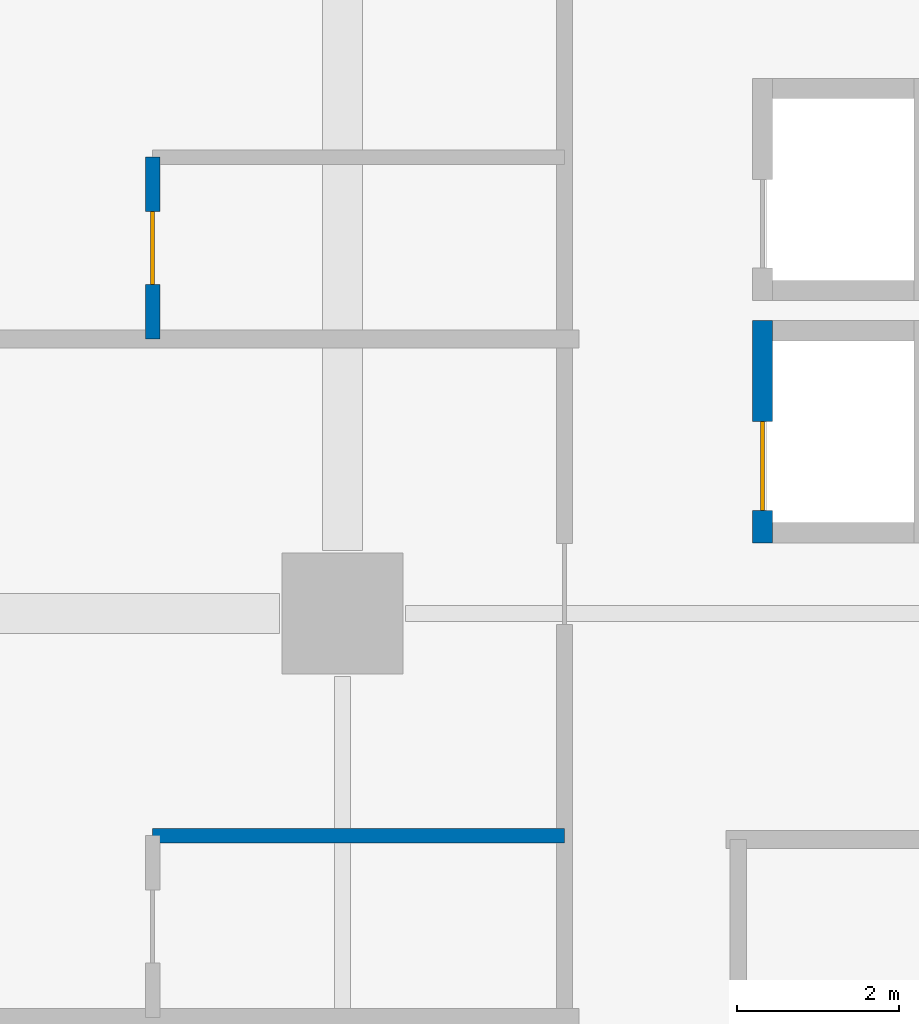
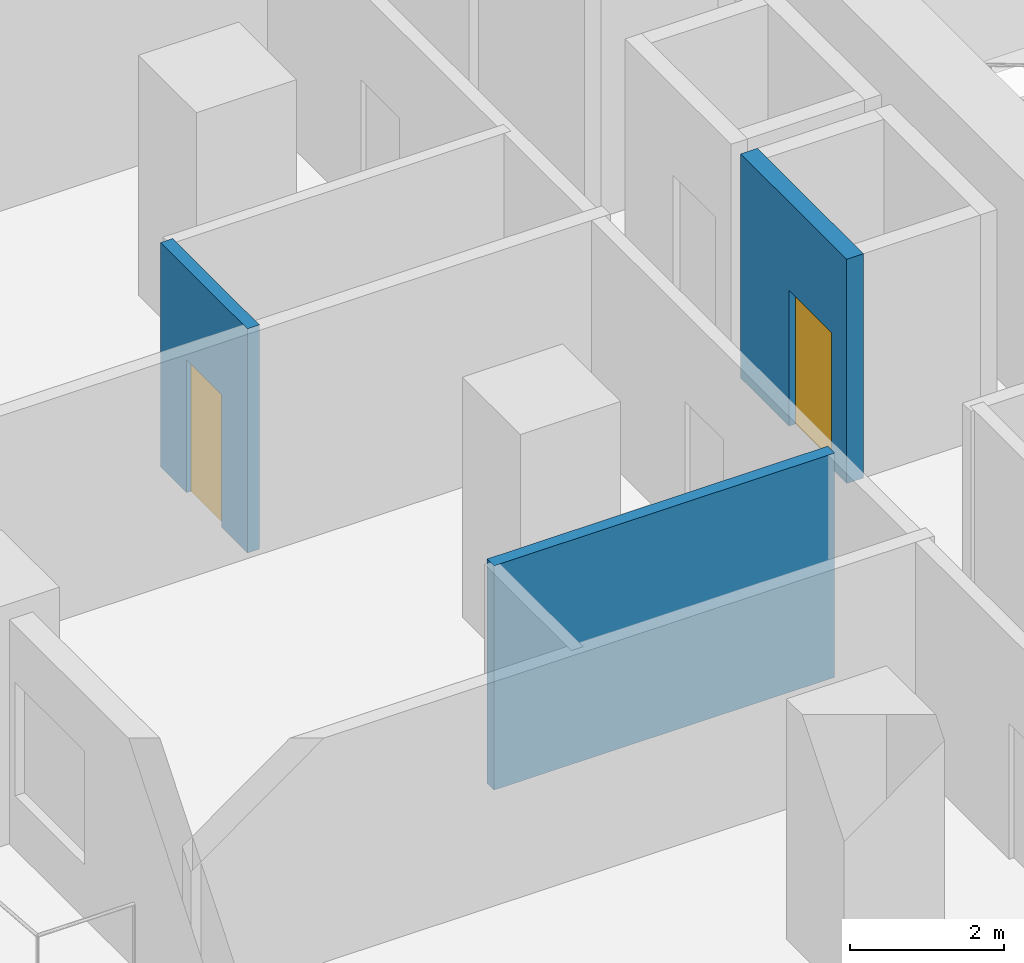
# One storey, part 12 of 23: 3 walls, 2 doors, 2 openings.
"""IFC4 building model written with IfcOpenShell, lengths in metres."""

from ifc_helpers import new_model, si_unit, direction, frame, frame_2d, origin, place, context, subcontext, project, spatial, rectangle, extrude, material, layer, layer_set, type_object, element, fill, save


model = new_model("IFC4")

# Units and contexts
model_context = context("Model", 3, precision=1e-05, world=origin(), true_north=direction((0.0, 1.0)))
body_context = subcontext(model_context, "Body", "Model", "MODEL_VIEW")
ifc_project = project(units=[si_unit("LENGTHUNIT", "METRE"), si_unit("AREAUNIT", "SQUARE_METRE"), si_unit("VOLUMEUNIT", "CUBIC_METRE"), si_unit("PLANEANGLEUNIT", "RADIAN"), si_unit("MASSUNIT", "GRAM", prefix="KILO")], contexts=[model_context])

# Site, building, storey
site_placement = place(None, origin())
site = spatial("IfcSite", under=ifc_project, at=site_placement, CompositionType="ELEMENT")
building_placement = place(site_placement, origin())
building = spatial("IfcBuilding", under=site, at=building_placement, Name="Koriwani Terraces Tower", CompositionType="ELEMENT")
storey_placement = place(building_placement, frame((0.0, 0.0, 32.0)))
storey = spatial("IfcBuildingStorey", under=building, at=storey_placement, Name="L06", CompositionType="ELEMENT", Elevation=32.0)

# Wall
ifc_material_1 = material(Name="Fire-Rated Acoustic Gypsum Partition", Category="masonry")
ifc_layer_1 = layer(ifc_material_1, 0.179931640625, Name="Fire-Rated Acoustic Gypsum Partition")
ifc_layer_set_1 = layer_set([ifc_layer_1], Name="Fire-Rated Acoustic Gypsum Partition")
wall_type_1 = type_object("IfcWallType", Name="WALL_PLUMBING_180", PredefinedType="PLUMBINGWALL", material=ifc_layer_set_1)
wall_1_placement = place(storey_placement, frame((6.050048828125, 39.25, 0.0), z_axis=(0.0, 0.0, 1.0), x_axis=(1.0, 0.0, 0.0)))
element("IfcWall", 1, at=wall_1_placement, inside=storey, type_object=wall_type_1, Name="L06 Interior Wall WBTH2-L06-NW-4", PredefinedType="PLUMBINGWALL", context=body_context, shape_type="SweptSolid", body=[
    extrude(rectangle(XDim=5.099853515625, YDim=0.179931640625, at=frame_2d((2.5498046875, 0.0))), origin(), (0.0, 0.0, 1.0), 3.550048828125),
])

# Wall, opening, door
wall_2_placement = place(storey_placement, frame((6.050048828125, 45.39990234375, 0.0), z_axis=(0.0, 0.0, 1.0), x_axis=(0.0, 1.0, 0.0)))
wall_2 = element("IfcWall", 2, at=wall_2_placement, inside=storey, type_object=wall_type_1, Name="L06 Interior Wall WBTH1-L06-NW-5", PredefinedType="PLUMBINGWALL", context=body_context, shape_type="SweptSolid", body=[
    extrude(rectangle(XDim=2.25, YDim=0.179931640625, at=frame_2d((1.125, 0.0))), origin(), (0.0, 0.0, 1.0), 3.550048828125),
])
opening_1_placement = place(wall_2_placement, frame((0.675048828125, 0.0, 0.0)))
opening_1 = element("IfcOpeningElement", 3, at=opening_1_placement, cuts=wall_2, Name="Opening D-07", PredefinedType="OPENING", context=body_context, shape_type="SweptSolid", body=[
    extrude(rectangle(XDim=0.89990234375, YDim=2.10009765625, at=frame_2d((0.449951171875, 1.050048828125))), frame((0.0, 0.10009765625, 0.0), z_axis=(0.0, -1.0, 0.0), x_axis=(1.0, 0.0, 0.0)), (0.0, 0.0, 1.0), 0.199951171875),
])
ifc_material_2 = material(Name="Architectural Oak Fire Door", Category="wood")
door_type_1 = type_object("IfcDoorType", Name="DOOR_BATH_INT_900X2100", OperationType="NOTDEFINED", PredefinedType="DOOR", material=ifc_material_2)
door_1_placement = place(opening_1_placement, origin())
door_1 = element("IfcDoor", 4, at=door_1_placement, inside=storey, type_object=door_type_1, Name="En-Suite Bathroom 06NW6 Door", OperationType="SINGLE_SWING_LEFT", OverallHeight=2.10009765625, OverallWidth=0.89990234375, PredefinedType="DOOR", context=body_context, shape_type="SweptSolid", body=[
    extrude(rectangle(XDim=0.89990234375, YDim=2.10009765625, at=frame_2d((0.449951171875, 1.050048828125))), frame((0.0, 0.02490234375, 0.0), z_axis=(0.0, -1.0, 0.0), x_axis=(1.0, 0.0, 0.0)), (0.0, 0.0, 1.0), 0.050048828125),
])
fill(opening_1, door_1)

ifc_material_3 = material(Name="Concrete C40/50", Category="concrete")
ifc_layer_2 = layer(ifc_material_3, 0.25, Name="Concrete C40/50")
ifc_layer_set_2 = layer_set([ifc_layer_2], Name="Concrete C40/50")
wall_type_2 = type_object("IfcWallType", Name="WALL_SHAFT_RATED_250", PredefinedType="SOLIDWALL", material=ifc_layer_set_2)
wall_3_placement = place(storey_placement, frame((13.60009765625, 42.875, 0.0), z_axis=(0.0, 0.0, 1.0), x_axis=(0.0, 1.0, 0.0)))
wall_3 = element("IfcWall", 5, at=wall_3_placement, inside=storey, type_object=wall_type_2, Name="L06 Interior Wall WIN-LF-PE-L1-L06-F", PredefinedType="SOLIDWALL", context=body_context, shape_type="SweptSolid", body=[
    extrude(rectangle(XDim=2.75, YDim=0.25, at=frame_2d((1.375, 0.0))), origin(), (0.0, 0.0, 1.0), 3.550048828125),
])
opening_2_placement = place(wall_3_placement, frame((0.39990234375, 0.0, 0.0)))
opening_2 = element("IfcOpeningElement", 6, at=opening_2_placement, cuts=wall_3, Name="Opening LD-01", PredefinedType="OPENING", context=body_context, shape_type="SweptSolid", body=[
    extrude(rectangle(XDim=1.10009765625, YDim=2.14990234375, at=frame_2d((0.550048828125, 1.074951171875))), frame((0.0, 0.135009765625, 0.0), z_axis=(0.0, -1.0, 0.0), x_axis=(1.0, 0.0, 0.0)), (0.0, 0.0, 1.0), 0.27001953125),
])
ifc_material_4 = material(Name="Steel ASTM A572 Grade 50", Category="steel")
door_type_2 = type_object("IfcDoorType", Name="DOOR_LIFT_LANDING_1100X2200", OperationType="NOTDEFINED", PredefinedType="DOOR", material=ifc_material_4)
door_2_placement = place(opening_2_placement, origin())
door_2 = element("IfcDoor", 7, at=door_2_placement, inside=storey, type_object=door_type_2, Name="L06 Passenger Lift PE-L1 Landing Door", OperationType="SLIDING_TO_LEFT", OverallHeight=2.14990234375, OverallWidth=1.10009765625, PredefinedType="DOOR", context=body_context, shape_type="SweptSolid", body=[
    extrude(rectangle(XDim=1.10009765625, YDim=2.14990234375, at=frame_2d((0.550048828125, 1.074951171875))), frame((0.0, 0.02490234375, 0.0), z_axis=(0.0, -1.0, 0.0), x_axis=(1.0, 0.0, 0.0)), (0.0, 0.0, 1.0), 0.050048828125),
])
fill(opening_2, door_2)

save(model, "model.ifc")
